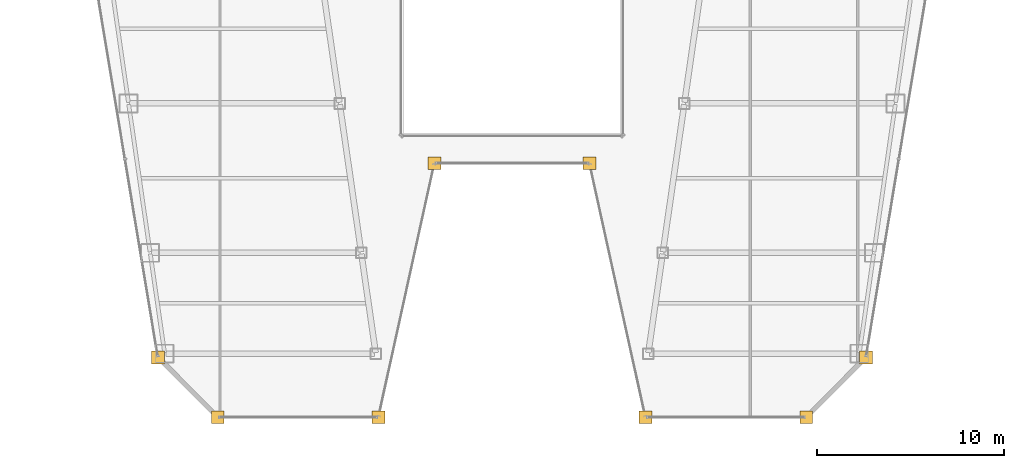
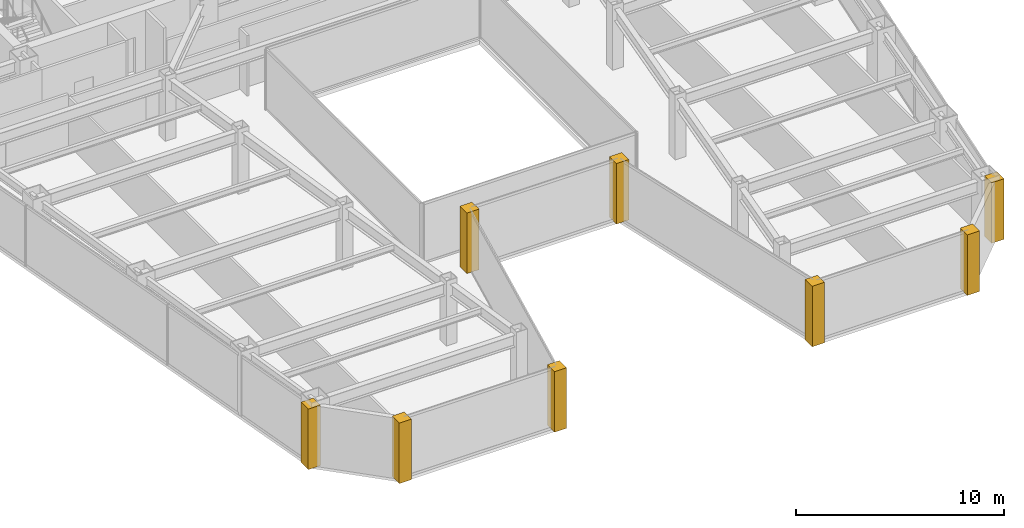
# One storey, part 34 of 36: 8 coverings.
"""IFC4 building model written with IfcOpenShell, lengths in metres."""

from ifc_helpers import new_model, si_unit, direction, frame, origin, place, context, subcontext, project, spatial, polyline, outline, extrude, material, layer, layer_set, type_object, element, save


model = new_model("IFC4")

# Units and contexts
model_context = context("Model", 3, precision=1e-05, world=origin(), true_north=direction((0.0, 1.0)))
body_context = subcontext(model_context, "Body", "Model", "MODEL_VIEW")
ifc_project = project(units=[si_unit("LENGTHUNIT", "METRE"), si_unit("AREAUNIT", "SQUARE_METRE"), si_unit("VOLUMEUNIT", "CUBIC_METRE"), si_unit("PLANEANGLEUNIT", "RADIAN"), si_unit("MASSUNIT", "GRAM", prefix="KILO")], contexts=[model_context])

# Site, building, storey
site_placement = place(None, origin())
site = spatial("IfcSite", under=ifc_project, at=site_placement, CompositionType="ELEMENT")
building_placement = place(site_placement, origin())
building = spatial("IfcBuilding", under=site, at=building_placement, Name="Saevonmaru Cultural Tower", CompositionType="ELEMENT")
storey_placement = place(building_placement, frame((0.0, 0.0, 152.39990234375)))
storey = spatial("IfcBuildingStorey", under=building, at=storey_placement, Name="L33", CompositionType="ELEMENT", Elevation=152.39990234375)

# Coverings
ifc_material = material(Name="Satin Bronze Anodised Aluminium", Category="aluminium")
ifc_layer = layer(ifc_material, 0.679931640625, Name="Satin Bronze Anodised Aluminium")
ifc_layer_set = layer_set([ifc_layer], Name="Satin Bronze Anodised Aluminium")
covering_type = type_object("IfcCoveringType", Name="CV-CORNER-CLAD", PredefinedType="CLADDING", material=ifc_layer_set)
covering_1_placement = place(storey_placement, origin())
element("IfcCovering", 1, at=covering_1_placement, inside=storey, type_object=covering_type, Name="L33 Tower Bronze Corner Cladding Pier 1", PredefinedType="CLADDING", context=body_context, shape_type="SweptSolid", body=[
    extrude(outline(polyline([(10.708984375, 10.06005859375), (11.388916015625, 10.06005859375), (11.388916015625, 10.739990234375), (10.708984375, 10.739990234375), (10.708984375, 10.06005859375)])), origin(), (0.0, 0.0, 1.0), 3.550048828125),
])
covering_2_placement = place(storey_placement, origin())
element("IfcCovering", 2, at=covering_2_placement, inside=storey, type_object=covering_type, Name="L33 Tower Bronze Corner Cladding Pier 2", PredefinedType="CLADDING", context=body_context, shape_type="SweptSolid", body=[
    extrude(outline(polyline([(13.908935546875, 6.860107421875), (14.589111328125, 6.860107421875), (14.589111328125, 7.5400390625), (13.908935546875, 7.5400390625), (13.908935546875, 6.860107421875)])), origin(), (0.0, 0.0, 1.0), 3.550048828125),
])
covering_3_placement = place(storey_placement, origin())
element("IfcCovering", 3, at=covering_3_placement, inside=storey, type_object=covering_type, Name="L33 Tower Bronze Corner Cladding Pier 3", PredefinedType="CLADDING", context=body_context, shape_type="SweptSolid", body=[
    extrude(outline(polyline([(22.509033203125, 6.860107421875), (23.18896484375, 6.860107421875), (23.18896484375, 7.5400390625), (22.509033203125, 7.5400390625), (22.509033203125, 6.860107421875)])), origin(), (0.0, 0.0, 1.0), 3.550048828125),
])
covering_4_placement = place(storey_placement, origin())
element("IfcCovering", 4, at=covering_4_placement, inside=storey, type_object=covering_type, Name="L33 Tower Bronze Corner Cladding Pier 4", PredefinedType="CLADDING", context=body_context, shape_type="SweptSolid", body=[
    extrude(outline(polyline([(25.509033203125, 20.4599609375), (26.18896484375, 20.4599609375), (26.18896484375, 21.139892578125), (25.509033203125, 21.139892578125), (25.509033203125, 20.4599609375)])), origin(), (0.0, 0.0, 1.0), 3.550048828125),
])
covering_5_placement = place(storey_placement, origin())
element("IfcCovering", 5, at=covering_5_placement, inside=storey, type_object=covering_type, Name="L33 Tower Bronze Corner Cladding Pier 5", PredefinedType="CLADDING", context=body_context, shape_type="SweptSolid", body=[
    extrude(outline(polyline([(33.81103515625, 20.4599609375), (34.490966796875, 20.4599609375), (34.490966796875, 21.139892578125), (33.81103515625, 21.139892578125), (33.81103515625, 20.4599609375)])), origin(), (0.0, 0.0, 1.0), 3.550048828125),
])
covering_6_placement = place(storey_placement, origin())
element("IfcCovering", 6, at=covering_6_placement, inside=storey, type_object=covering_type, Name="L33 Tower Bronze Corner Cladding Pier 6", PredefinedType="CLADDING", context=body_context, shape_type="SweptSolid", body=[
    extrude(outline(polyline([(36.81103515625, 6.860107421875), (37.490966796875, 6.860107421875), (37.490966796875, 7.5400390625), (36.81103515625, 7.5400390625), (36.81103515625, 6.860107421875)])), origin(), (0.0, 0.0, 1.0), 3.550048828125),
])
covering_7_placement = place(storey_placement, origin())
element("IfcCovering", 7, at=covering_7_placement, inside=storey, type_object=covering_type, Name="L33 Tower Bronze Corner Cladding Pier 7", PredefinedType="CLADDING", context=body_context, shape_type="SweptSolid", body=[
    extrude(outline(polyline([(45.410888671875, 6.860107421875), (46.091064453125, 6.860107421875), (46.091064453125, 7.5400390625), (45.410888671875, 7.5400390625), (45.410888671875, 6.860107421875)])), origin(), (0.0, 0.0, 1.0), 3.550048828125),
])
covering_8_placement = place(storey_placement, origin())
element("IfcCovering", 8, at=covering_8_placement, inside=storey, type_object=covering_type, Name="L33 Tower Bronze Corner Cladding Pier 8", PredefinedType="CLADDING", context=body_context, shape_type="SweptSolid", body=[
    extrude(outline(polyline([(48.611083984375, 10.06005859375), (49.291015625, 10.06005859375), (49.291015625, 10.739990234375), (48.611083984375, 10.739990234375), (48.611083984375, 10.06005859375)])), origin(), (0.0, 0.0, 1.0), 3.550048828125),
])

save(model, "model.ifc")
